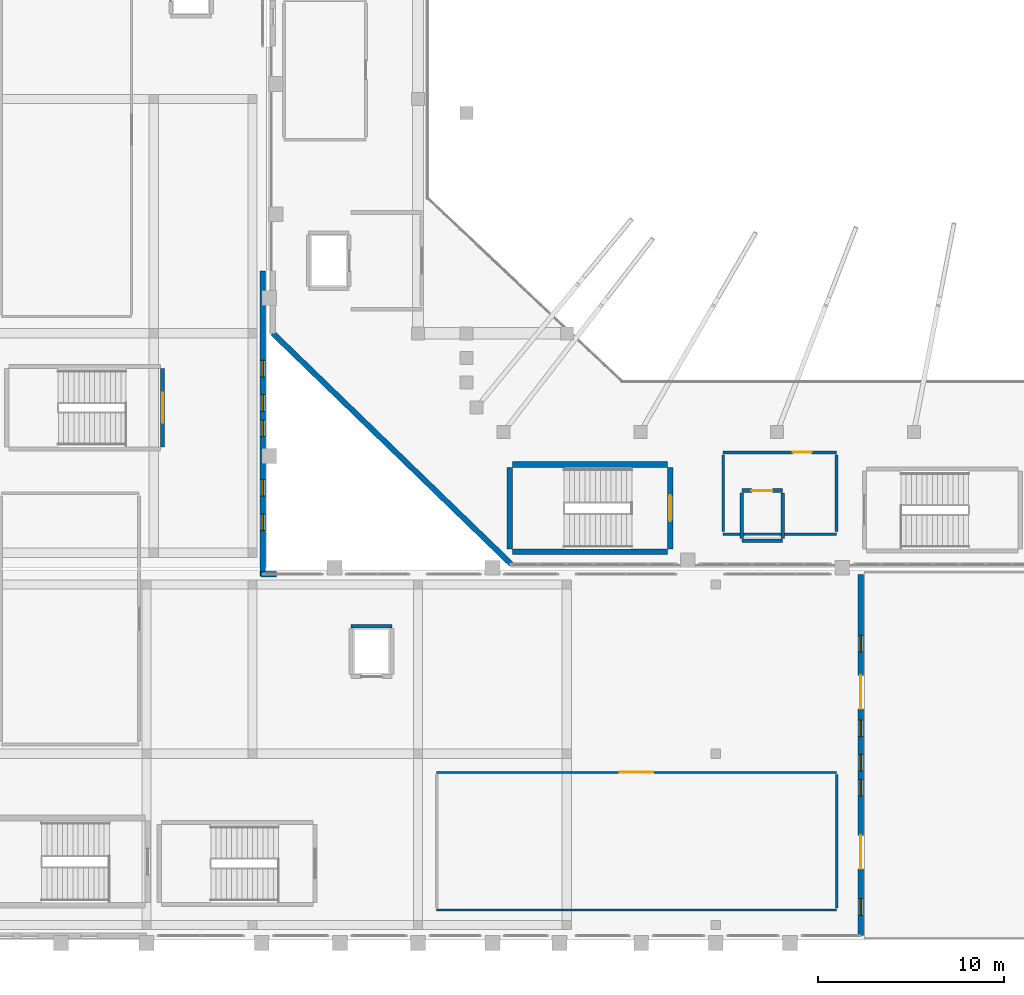
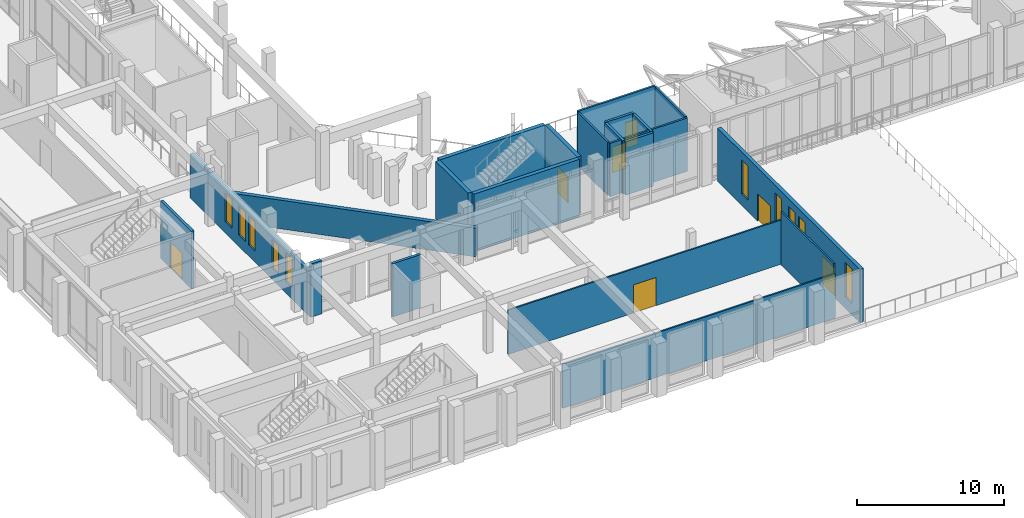
# One storey, part 55 of 79: 21 walls, 10 windows, 7 doors, 17 openings.
"""IFC4 building model written with IfcOpenShell, lengths in metres."""

from ifc_helpers import new_model, si_unit, derived_unit, direction, frame, frame_2d, origin, place, context, subcontext, project, spatial, rectangle, extrude, material, layer, layer_set, type_object, element, fill, save


model = new_model("IFC4")

# Units and contexts
model_context = context("Model", 3, precision=1e-05, world=origin(), true_north=direction((0.0, 1.0)))
body_context = subcontext(model_context, "Body", "Model", "MODEL_VIEW")
ifc_project = project(units=[si_unit("LENGTHUNIT", "METRE"), si_unit("AREAUNIT", "SQUARE_METRE"), si_unit("VOLUMEUNIT", "CUBIC_METRE"), si_unit("PLANEANGLEUNIT", "RADIAN"), si_unit("MASSUNIT", "GRAM", prefix="KILO"), derived_unit("THERMALTRANSMITTANCEUNIT", [(si_unit("MASSUNIT", "GRAM", prefix="KILO"), 1), (si_unit("TIMEUNIT", "SECOND"), -3), (si_unit("THERMODYNAMICTEMPERATUREUNIT", "KELVIN"), -1)])], contexts=[model_context])

# Site, building, storey
site_placement = place(None, origin())
site = spatial("IfcSite", under=ifc_project, at=site_placement, CompositionType="ELEMENT")
building_placement = place(site_placement, origin())
building = spatial("IfcBuilding", under=site, at=building_placement, Name="Valcora Ridge Arena", CompositionType="ELEMENT")
storey_placement = place(building_placement, frame((0.0, 0.0, 16.199951171875)))
storey = spatial("IfcBuildingStorey", under=building, at=storey_placement, Name="L03", CompositionType="ELEMENT", Elevation=16.199951171875)

# Wall, openings, windows
ifc_material_1 = material(Name="Bush-hammered Andean travertine on concrete backup C40/50", Category="masonry")
ifc_layer_1 = layer(ifc_material_1, 0.280029296875, Name="Bush-hammered Andean travertine on concrete backup C40/50")
ifc_layer_set_1 = layer_set([ifc_layer_1], Name="Bush-hammered Andean travertine on concrete backup C40/50")
wall_type_1 = type_object("IfcWallType", Name="TY-WALL-EW-TRV-28-37", PredefinedType="STANDARD", material=ifc_layer_set_1)
wall_1_placement = place(storey_placement, frame((15.64990234375, 19.550048828125, 0.0), z_axis=(0.0, 0.0, 1.0), x_axis=(0.0, 1.0, 0.0)))
wall_1 = element("IfcWall", 1, at=wall_1_placement, inside=storey, type_object=wall_type_1, Name="EW-TRV-28-37 WAL-EW-0096", PredefinedType="STANDARD", context=body_context, shape_type="SweptSolid", body=[
    extrude(rectangle(XDim=16.39990234375, YDim=0.280029296875, at=frame_2d((8.199951171875, 0.0))), origin(), (0.0, 0.0, 1.0), 3.68994140625),
])
opening_1_placement = place(wall_1_placement, frame((2.449951171875, 0.0, 0.949951171875)))
opening_1 = element("IfcOpeningElement", 2, at=opening_1_placement, cuts=wall_1, Name="Opening W-GLAN-90X239", PredefinedType="OPENING", context=body_context, shape_type="SweptSolid", body=[
    extrude(rectangle(XDim=0.89990234375, YDim=2.389892578125, at=frame_2d((0.449951171875, 1.19482421875))), frame((0.0, 0.14990234375, 0.0), z_axis=(0.0, -1.0, 0.0), x_axis=(1.0, 0.0, 0.0)), (0.0, 0.0, 1.0), 0.300048828125),
])
opening_2_placement = place(wall_1_placement, frame((4.300048828125, 0.0, 0.949951171875)))
opening_2 = element("IfcOpeningElement", 3, at=opening_2_placement, cuts=wall_1, Name="Opening W-GLAN-90X239", PredefinedType="OPENING", context=body_context, shape_type="SweptSolid", body=[
    extrude(rectangle(XDim=0.89990234375, YDim=2.389892578125, at=frame_2d((0.449951171875, 1.19482421875))), frame((0.0, 0.14990234375, 0.0), z_axis=(0.0, -1.0, 0.0), x_axis=(1.0, 0.0, 0.0)), (0.0, 0.0, 1.0), 0.300048828125),
])
opening_3_placement = place(wall_1_placement, frame((7.5, 0.0, 0.949951171875)))
opening_3 = element("IfcOpeningElement", 4, at=opening_3_placement, cuts=wall_1, Name="Opening W-GLAN-90X239", PredefinedType="OPENING", context=body_context, shape_type="SweptSolid", body=[
    extrude(rectangle(XDim=0.89990234375, YDim=2.389892578125, at=frame_2d((0.449951171875, 1.19482421875))), frame((0.0, 0.14990234375, 0.0), z_axis=(0.0, -1.0, 0.0), x_axis=(1.0, 0.0, 0.0)), (0.0, 0.0, 1.0), 0.300048828125),
])
opening_4_placement = place(wall_1_placement, frame((8.85009765625, 0.0, 0.949951171875)))
opening_4 = element("IfcOpeningElement", 5, at=opening_4_placement, cuts=wall_1, Name="Opening W-GLAN-90X239", PredefinedType="OPENING", context=body_context, shape_type="SweptSolid", body=[
    extrude(rectangle(XDim=0.89990234375, YDim=2.389892578125, at=frame_2d((0.449951171875, 1.19482421875))), frame((0.0, 0.14990234375, 0.0), z_axis=(0.0, -1.0, 0.0), x_axis=(1.0, 0.0, 0.0)), (0.0, 0.0, 1.0), 0.300048828125),
])
opening_5_placement = place(wall_1_placement, frame((10.699951171875, 0.0, 0.949951171875)))
opening_5 = element("IfcOpeningElement", 6, at=opening_5_placement, cuts=wall_1, Name="Opening W-GLAN-90X239", PredefinedType="OPENING", context=body_context, shape_type="SweptSolid", body=[
    extrude(rectangle(XDim=0.89990234375, YDim=2.389892578125, at=frame_2d((0.449951171875, 1.19482421875))), frame((0.0, 0.14990234375, 0.0), z_axis=(0.0, -1.0, 0.0), x_axis=(1.0, 0.0, 0.0)), (0.0, 0.0, 1.0), 0.300048828125),
])
ifc_material_2 = material(Name="Low-iron solar-control double glazing SHGC 0.28", Category="glass")
window_type_1 = type_object("IfcWindowType", Name="TY-WINDOW-W-GLAN-90X239", PartitioningType="DOUBLE_PANEL_VERTICAL", PredefinedType="WINDOW", material=ifc_material_2)
window_1_placement = place(opening_1_placement, origin())
window_1 = element("IfcWindow", 7, at=window_1_placement, inside=storey, type_object=window_type_1, Name="W-GLAN-90X239 WIN-EX-0307", OverallHeight=2.389892578125, OverallWidth=0.89990234375, PartitioningType="DOUBLE_PANEL_VERTICAL", PredefinedType="WINDOW", context=body_context, shape_type="SweptSolid", body=[
    extrude(rectangle(XDim=0.89990234375, YDim=2.389892578125, at=frame_2d((0.449951171875, 1.19482421875))), frame((0.0, 0.030029296875, 0.0), z_axis=(0.0, -1.0, 0.0), x_axis=(1.0, 0.0, 0.0)), (0.0, 0.0, 1.0), 0.06005859375),
])
fill(opening_1, window_1)
window_2_placement = place(opening_2_placement, origin())
window_2 = element("IfcWindow", 8, at=window_2_placement, inside=storey, type_object=window_type_1, Name="W-GLAN-90X239 WIN-EX-0308", OverallHeight=2.389892578125, OverallWidth=0.89990234375, PartitioningType="DOUBLE_PANEL_VERTICAL", PredefinedType="WINDOW", context=body_context, shape_type="SweptSolid", body=[
    extrude(rectangle(XDim=0.89990234375, YDim=2.389892578125, at=frame_2d((0.449951171875, 1.19482421875))), frame((0.0, 0.030029296875, 0.0), z_axis=(0.0, -1.0, 0.0), x_axis=(1.0, 0.0, 0.0)), (0.0, 0.0, 1.0), 0.06005859375),
])
fill(opening_2, window_2)
window_3_placement = place(opening_3_placement, origin())
window_3 = element("IfcWindow", 9, at=window_3_placement, inside=storey, type_object=window_type_1, Name="W-GLAN-90X239 WIN-EX-0309", OverallHeight=2.389892578125, OverallWidth=0.89990234375, PartitioningType="DOUBLE_PANEL_VERTICAL", PredefinedType="WINDOW", context=body_context, shape_type="SweptSolid", body=[
    extrude(rectangle(XDim=0.89990234375, YDim=2.389892578125, at=frame_2d((0.449951171875, 1.19482421875))), frame((0.0, 0.030029296875, 0.0), z_axis=(0.0, -1.0, 0.0), x_axis=(1.0, 0.0, 0.0)), (0.0, 0.0, 1.0), 0.06005859375),
])
fill(opening_3, window_3)
window_4_placement = place(opening_4_placement, origin())
window_4 = element("IfcWindow", 10, at=window_4_placement, inside=storey, type_object=window_type_1, Name="W-GLAN-90X239 WIN-EX-0310", OverallHeight=2.389892578125, OverallWidth=0.89990234375, PartitioningType="DOUBLE_PANEL_VERTICAL", PredefinedType="WINDOW", context=body_context, shape_type="SweptSolid", body=[
    extrude(rectangle(XDim=0.89990234375, YDim=2.389892578125, at=frame_2d((0.449951171875, 1.19482421875))), frame((0.0, 0.030029296875, 0.0), z_axis=(0.0, -1.0, 0.0), x_axis=(1.0, 0.0, 0.0)), (0.0, 0.0, 1.0), 0.06005859375),
])
fill(opening_4, window_4)
window_5_placement = place(opening_5_placement, origin())
window_5 = element("IfcWindow", 11, at=window_5_placement, inside=storey, type_object=window_type_1, Name="W-GLAN-90X239 WIN-EX-0311", OverallHeight=2.389892578125, OverallWidth=0.89990234375, PartitioningType="DOUBLE_PANEL_VERTICAL", PredefinedType="WINDOW", context=body_context, shape_type="SweptSolid", body=[
    extrude(rectangle(XDim=0.89990234375, YDim=2.389892578125, at=frame_2d((0.449951171875, 1.19482421875))), frame((0.0, 0.030029296875, 0.0), z_axis=(0.0, -1.0, 0.0), x_axis=(1.0, 0.0, 0.0)), (0.0, 0.0, 1.0), 0.06005859375),
])
fill(opening_5, window_5)

# Wall, openings, doors, windows
ifc_layer_2 = layer(ifc_material_1, 0.280029296875, Name="Bush-hammered Andean travertine on concrete backup C40/50")
ifc_layer_set_2 = layer_set([ifc_layer_2], Name="Bush-hammered Andean travertine on concrete backup C40/50")
wall_type_2 = type_object("IfcWallType", Name="TY-WALL-EW-TRV-28-44", PredefinedType="STANDARD", material=ifc_layer_set_2)
wall_2_placement = place(storey_placement, frame((47.800048828125, 0.219970703125, 0.0), z_axis=(0.0, 0.0, 1.0), x_axis=(0.0, 1.0, 0.0)))
wall_2 = element("IfcWall", 12, at=wall_2_placement, inside=storey, type_object=wall_type_2, Name="EW-TRV-28-44 WAL-EW-0093", PredefinedType="STANDARD", context=body_context, shape_type="SweptSolid", body=[
    extrude(rectangle(XDim=19.429931640625, YDim=0.280029296875, at=frame_2d((9.71484375, 0.0))), origin(), (0.0, 0.0, 1.0), 4.43994140625),
])
opening_6_placement = place(wall_2_placement, frame((3.60009765625, 0.0, 0.0)))
opening_6 = element("IfcOpeningElement", 13, at=opening_6_placement, cuts=wall_2, Name="Opening D-TERR-1800", PredefinedType="OPENING", context=body_context, shape_type="SweptSolid", body=[
    extrude(rectangle(XDim=1.800048828125, YDim=2.300048828125, at=frame_2d((0.89990234375, 1.14990234375))), frame((0.0, 0.14990234375, 0.0), z_axis=(0.0, -1.0, 0.0), x_axis=(1.0, 0.0, 0.0)), (0.0, 0.0, 1.0), 0.300048828125),
])
opening_7_placement = place(wall_2_placement, frame((12.199951171875, 0.0, 0.0)))
opening_7 = element("IfcOpeningElement", 14, at=opening_7_placement, cuts=wall_2, Name="Opening D-TERR-1800", PredefinedType="OPENING", context=body_context, shape_type="SweptSolid", body=[
    extrude(rectangle(XDim=1.800048828125, YDim=2.300048828125, at=frame_2d((0.89990234375, 1.14990234375))), frame((0.0, 0.14990234375, 0.0), z_axis=(0.0, -1.0, 0.0), x_axis=(1.0, 0.0, 0.0)), (0.0, 0.0, 1.0), 0.300048828125),
])
opening_8_placement = place(wall_2_placement, frame((1.10009765625, 0.0, 0.949951171875)))
opening_8 = element("IfcOpeningElement", 15, at=opening_8_placement, cuts=wall_2, Name="Opening W-GLAN-90X285", PredefinedType="OPENING", context=body_context, shape_type="SweptSolid", body=[
    extrude(rectangle(XDim=0.89990234375, YDim=2.85009765625, at=frame_2d((0.449951171875, 1.425048828125))), frame((0.0, 0.14990234375, 0.0), z_axis=(0.0, -1.0, 0.0), x_axis=(1.0, 0.0, 0.0)), (0.0, 0.0, 1.0), 0.300048828125),
])
opening_9_placement = place(wall_2_placement, frame((7.5, 0.0, 0.949951171875)))
opening_9 = element("IfcOpeningElement", 16, at=opening_9_placement, cuts=wall_2, Name="Opening W-GLAN-90X285", PredefinedType="OPENING", context=body_context, shape_type="SweptSolid", body=[
    extrude(rectangle(XDim=0.89990234375, YDim=2.85009765625, at=frame_2d((0.449951171875, 1.425048828125))), frame((0.0, 0.14990234375, 0.0), z_axis=(0.0, -1.0, 0.0), x_axis=(1.0, 0.0, 0.0)), (0.0, 0.0, 1.0), 0.300048828125),
])
opening_10_placement = place(wall_2_placement, frame((8.85009765625, 0.0, 0.949951171875)))
opening_10 = element("IfcOpeningElement", 17, at=opening_10_placement, cuts=wall_2, Name="Opening W-GLAN-90X285", PredefinedType="OPENING", context=body_context, shape_type="SweptSolid", body=[
    extrude(rectangle(XDim=0.89990234375, YDim=2.85009765625, at=frame_2d((0.449951171875, 1.425048828125))), frame((0.0, 0.14990234375, 0.0), z_axis=(0.0, -1.0, 0.0), x_axis=(1.0, 0.0, 0.0)), (0.0, 0.0, 1.0), 0.300048828125),
])
opening_11_placement = place(wall_2_placement, frame((10.699951171875, 0.0, 0.949951171875)))
opening_11 = element("IfcOpeningElement", 18, at=opening_11_placement, cuts=wall_2, Name="Opening W-GLAN-90X285", PredefinedType="OPENING", context=body_context, shape_type="SweptSolid", body=[
    extrude(rectangle(XDim=0.89990234375, YDim=2.85009765625, at=frame_2d((0.449951171875, 1.425048828125))), frame((0.0, 0.14990234375, 0.0), z_axis=(0.0, -1.0, 0.0), x_axis=(1.0, 0.0, 0.0)), (0.0, 0.0, 1.0), 0.300048828125),
])
opening_12_placement = place(wall_2_placement, frame((15.25, 0.0, 0.949951171875)))
opening_12 = element("IfcOpeningElement", 19, at=opening_12_placement, cuts=wall_2, Name="Opening W-GLAN-90X285", PredefinedType="OPENING", context=body_context, shape_type="SweptSolid", body=[
    extrude(rectangle(XDim=0.89990234375, YDim=2.85009765625, at=frame_2d((0.449951171875, 1.425048828125))), frame((0.0, 0.14990234375, 0.0), z_axis=(0.0, -1.0, 0.0), x_axis=(1.0, 0.0, 0.0)), (0.0, 0.0, 1.0), 0.300048828125),
])
ifc_material_3 = material(Name="Thermally broken bronze aluminium glazed entrance leaf", Category="aluminium")
door_type_1 = type_object("IfcDoorType", Name="TY-DOOR-D-TERR-1800", OperationType="NOTDEFINED", PredefinedType="DOOR", material=ifc_material_3)
door_1_placement = place(opening_6_placement, origin())
door_1 = element("IfcDoor", 20, at=door_1_placement, inside=storey, type_object=door_type_1, Name="D-TERR-1800 DOR-EX-0018", OperationType="DOUBLE_DOOR_SINGLE_SWING", OverallHeight=2.300048828125, OverallWidth=1.800048828125, PredefinedType="DOOR", context=body_context, shape_type="SweptSolid", body=[
    extrude(rectangle(XDim=1.800048828125, YDim=2.300048828125, at=frame_2d((0.89990234375, 1.14990234375))), frame((0.0, 0.02490234375, 0.0), z_axis=(0.0, -1.0, 0.0), x_axis=(1.0, 0.0, 0.0)), (0.0, 0.0, 1.0), 0.050048828125),
])
fill(opening_6, door_1)
door_2_placement = place(opening_7_placement, origin())
door_2 = element("IfcDoor", 21, at=door_2_placement, inside=storey, type_object=door_type_1, Name="D-TERR-1800 DOR-EX-0019", OperationType="DOUBLE_DOOR_SINGLE_SWING", OverallHeight=2.300048828125, OverallWidth=1.800048828125, PredefinedType="DOOR", context=body_context, shape_type="SweptSolid", body=[
    extrude(rectangle(XDim=1.800048828125, YDim=2.300048828125, at=frame_2d((0.89990234375, 1.14990234375))), frame((0.0, 0.02490234375, 0.0), z_axis=(0.0, -1.0, 0.0), x_axis=(1.0, 0.0, 0.0)), (0.0, 0.0, 1.0), 0.050048828125),
])
fill(opening_7, door_2)
window_type_2 = type_object("IfcWindowType", Name="TY-WINDOW-W-GLAN-90X285", PartitioningType="DOUBLE_PANEL_VERTICAL", PredefinedType="WINDOW", material=ifc_material_2)
window_6_placement = place(opening_8_placement, origin())
window_6 = element("IfcWindow", 22, at=window_6_placement, inside=storey, type_object=window_type_2, Name="W-GLAN-90X285 WIN-EX-0289", OverallHeight=2.85009765625, OverallWidth=0.89990234375, PartitioningType="DOUBLE_PANEL_VERTICAL", PredefinedType="WINDOW", context=body_context, shape_type="SweptSolid", body=[
    extrude(rectangle(XDim=0.89990234375, YDim=2.85009765625, at=frame_2d((0.449951171875, 1.425048828125))), frame((0.0, 0.030029296875, 0.0), z_axis=(0.0, -1.0, 0.0), x_axis=(1.0, 0.0, 0.0)), (0.0, 0.0, 1.0), 0.06005859375),
])
fill(opening_8, window_6)
window_7_placement = place(opening_9_placement, origin())
window_7 = element("IfcWindow", 23, at=window_7_placement, inside=storey, type_object=window_type_2, Name="W-GLAN-90X285 WIN-EX-0290", OverallHeight=2.85009765625, OverallWidth=0.89990234375, PartitioningType="DOUBLE_PANEL_VERTICAL", PredefinedType="WINDOW", context=body_context, shape_type="SweptSolid", body=[
    extrude(rectangle(XDim=0.89990234375, YDim=2.85009765625, at=frame_2d((0.449951171875, 1.425048828125))), frame((0.0, 0.030029296875, 0.0), z_axis=(0.0, -1.0, 0.0), x_axis=(1.0, 0.0, 0.0)), (0.0, 0.0, 1.0), 0.06005859375),
])
fill(opening_9, window_7)
window_8_placement = place(opening_10_placement, origin())
window_8 = element("IfcWindow", 24, at=window_8_placement, inside=storey, type_object=window_type_2, Name="W-GLAN-90X285 WIN-EX-0291", OverallHeight=2.85009765625, OverallWidth=0.89990234375, PartitioningType="DOUBLE_PANEL_VERTICAL", PredefinedType="WINDOW", context=body_context, shape_type="SweptSolid", body=[
    extrude(rectangle(XDim=0.89990234375, YDim=2.85009765625, at=frame_2d((0.449951171875, 1.425048828125))), frame((0.0, 0.030029296875, 0.0), z_axis=(0.0, -1.0, 0.0), x_axis=(1.0, 0.0, 0.0)), (0.0, 0.0, 1.0), 0.06005859375),
])
fill(opening_10, window_8)
window_9_placement = place(opening_11_placement, origin())
window_9 = element("IfcWindow", 25, at=window_9_placement, inside=storey, type_object=window_type_2, Name="W-GLAN-90X285 WIN-EX-0292", OverallHeight=2.85009765625, OverallWidth=0.89990234375, PartitioningType="DOUBLE_PANEL_VERTICAL", PredefinedType="WINDOW", context=body_context, shape_type="SweptSolid", body=[
    extrude(rectangle(XDim=0.89990234375, YDim=2.85009765625, at=frame_2d((0.449951171875, 1.425048828125))), frame((0.0, 0.030029296875, 0.0), z_axis=(0.0, -1.0, 0.0), x_axis=(1.0, 0.0, 0.0)), (0.0, 0.0, 1.0), 0.06005859375),
])
fill(opening_11, window_9)
window_10_placement = place(opening_12_placement, origin())
window_10 = element("IfcWindow", 26, at=window_10_placement, inside=storey, type_object=window_type_2, Name="W-GLAN-90X285 WIN-EX-0293", OverallHeight=2.85009765625, OverallWidth=0.89990234375, PartitioningType="DOUBLE_PANEL_VERTICAL", PredefinedType="WINDOW", context=body_context, shape_type="SweptSolid", body=[
    extrude(rectangle(XDim=0.89990234375, YDim=2.85009765625, at=frame_2d((0.449951171875, 1.425048828125))), frame((0.0, 0.030029296875, 0.0), z_axis=(0.0, -1.0, 0.0), x_axis=(1.0, 0.0, 0.0)), (0.0, 0.0, 1.0), 0.06005859375),
])
fill(opening_12, window_10)

# Walls
wall_3_placement = place(storey_placement, frame((15.550048828125, 19.64990234375, 0.0), z_axis=(0.0, 0.0, 1.0), x_axis=(1.0, 0.0, 0.0)))
element("IfcWall", 27, at=wall_3_placement, inside=storey, type_object=wall_type_2, Name="EW-TRV-28-44 WAL-EW-0097", PredefinedType="STANDARD", context=body_context, shape_type="SweptSolid", body=[
    extrude(rectangle(XDim=0.849853515625, YDim=0.280029296875, at=frame_2d((0.4248046875, 0.0))), origin(), (0.0, 0.0, 1.0), 4.43994140625),
])
ifc_layer_3 = layer(ifc_material_1, 0.300048828125, Name="Bush-hammered Andean travertine on concrete backup C40/50")
ifc_layer_set_3 = layer_set([ifc_layer_3], Name="Bush-hammered Andean travertine on concrete backup C40/50")
wall_type_3 = type_object("IfcWallType", Name="TY-WALL-EW-TRV-30-24", PredefinedType="STANDARD", material=ifc_layer_set_3)
wall_4_placement = place(storey_placement, frame((16.199951171875, 32.60009765625, 0.0), z_axis=(0.0, 0.0, 1.0), x_axis=(0.718237441527, -0.695798086796, 0.0)))
element("IfcWall", 28, at=wall_4_placement, inside=storey, type_object=wall_type_3, Name="EW-TRV-30-24 WAL-EW-0055", PredefinedType="STANDARD", context=body_context, shape_type="SweptSolid", body=[
    extrude(rectangle(XDim=17.821533203125, YDim=0.300048828125, at=frame_2d((8.91064453125, 0.0))), origin(), (0.0, 0.0, 1.0), 2.39013671875),
])
ifc_material_4 = material(Name="Fire-rated masonry-core compartment wall C35/45 150 mm", Category="masonry")
ifc_layer_4 = layer(ifc_material_4, 0.14990234375, Name="Fire-rated masonry-core compartment wall C35/45 150 mm")
ifc_layer_set_4 = layer_set([ifc_layer_4], Name="Fire-rated masonry-core compartment wall C35/45 150 mm")
wall_type_4 = type_object("IfcWallType", Name="TY-WALL-IW-COMP-150", PredefinedType="STANDARD", material=ifc_layer_set_4)
wall_5_placement = place(storey_placement, frame((40.39990234375, 21.800048828125, 0.0), z_axis=(0.0, 0.0, 1.0), x_axis=(1.0, 0.0, 0.0)))
element("IfcWall", 29, at=wall_5_placement, inside=storey, type_object=wall_type_4, Name="IW-COMP-150 WAL-IN-0403", PredefinedType="STANDARD", context=body_context, shape_type="SweptSolid", body=[
    extrude(rectangle(XDim=6.10009765625, YDim=0.14990234375, at=frame_2d((3.050048828125, 0.0))), origin(), (0.0, 0.0, 1.0), 4.43994140625),
])

# Wall, opening, door
wall_6_placement = place(storey_placement, frame((40.39990234375, 26.199951171875, 0.0), z_axis=(0.0, 0.0, 1.0), x_axis=(1.0, 0.0, 0.0)))
wall_6 = element("IfcWall", 30, at=wall_6_placement, inside=storey, type_object=wall_type_4, Name="IW-COMP-150 WAL-IN-0404", PredefinedType="STANDARD", context=body_context, shape_type="SweptSolid", body=[
    extrude(rectangle(XDim=6.10009765625, YDim=0.14990234375, at=frame_2d((3.050048828125, 0.0))), origin(), (0.0, 0.0, 1.0), 4.43994140625),
])
opening_13_placement = place(wall_6_placement, frame((3.75, 0.0, 0.0)))
opening_13 = element("IfcOpeningElement", 31, at=opening_13_placement, cuts=wall_6, Name="Opening FD-STE-1000", PredefinedType="OPENING", context=body_context, shape_type="SweptSolid", body=[
    extrude(rectangle(XDim=1.0, YDim=2.14990234375, at=frame_2d((0.5, 1.074951171875))), frame((0.0, 0.0849609375, 0.0), z_axis=(0.0, -1.0, 0.0), x_axis=(1.0, 0.0, 0.0)), (0.0, 0.0, 1.0), 0.169921875),
])
ifc_material_5 = material(Name="Insulated fire-rated steel door leaf", Category="steel")
door_type_2 = type_object("IfcDoorType", Name="TY-DOOR-FD-STE-1000", OperationType="NOTDEFINED", PredefinedType="DOOR", material=ifc_material_5)
door_3_placement = place(opening_13_placement, origin())
door_3 = element("IfcDoor", 32, at=door_3_placement, inside=storey, type_object=door_type_2, Name="FD-STE-1000 DOR-IN-0106", OperationType="SINGLE_SWING_RIGHT", OverallHeight=2.14990234375, OverallWidth=1.0, PredefinedType="DOOR", context=body_context, shape_type="SweptSolid", body=[
    extrude(rectangle(XDim=1.0, YDim=2.14990234375, at=frame_2d((0.5, 1.074951171875))), frame((0.0, 0.02490234375, 0.0), z_axis=(0.0, -1.0, 0.0), x_axis=(1.0, 0.0, 0.0)), (0.0, 0.0, 1.0), 0.050048828125),
])
fill(opening_13, door_3)

# Walls
for number, where, z_axis, x_axis, name in (
    (33, (40.39990234375, 21.949951171875, 0.0), (0.0, 0.0, 1.0), (0.0, 1.0, 0.0), "IW-COMP-150 WAL-IN-0405"),
    (34, (46.5, 21.949951171875, 0.0), (0.0, 0.0, 1.0), (0.0, 1.0, 0.0), "IW-COMP-150 WAL-IN-0406"),
):
    element("IfcWall", number, at=place(storey_placement, frame(where, z_axis=z_axis, x_axis=x_axis)), inside=storey, type_object=wall_type_4, Name=name, PredefinedType="STANDARD", context=body_context, shape_type="SweptSolid", body=[
        extrude(rectangle(XDim=4.10009765625, YDim=0.14990234375, at=frame_2d((2.050048828125, 0.0))), origin(), (0.0, 0.0, 1.0), 4.43994140625),
    ])
ifc_material_6 = material(Name="Acoustic metal-stud gypsum partition 120 mm")
ifc_layer_5 = layer(ifc_material_6, 0.1201171875, Name="Acoustic metal-stud gypsum partition 120 mm")
ifc_layer_set_5 = layer_set([ifc_layer_5], Name="Acoustic metal-stud gypsum partition 120 mm")
wall_type_5 = type_object("IfcWallType", Name="TY-WALL-IW-PART-120", PredefinedType="PARTITIONING", material=ifc_layer_set_5)
wall_7_placement = place(storey_placement, frame((25.0, 1.60009765625, 0.0), z_axis=(0.0, 0.0, 1.0), x_axis=(1.0, 0.0, 0.0)))
element("IfcWall", 35, at=wall_7_placement, inside=storey, type_object=wall_type_5, Name="IW-PART-120 WAL-IN-0427", PredefinedType="PARTITIONING", context=body_context, shape_type="SweptSolid", body=[
    extrude(rectangle(XDim=21.5, YDim=0.1201171875, at=frame_2d((10.75, 0.0))), origin(), (0.0, 0.0, 1.0), 3.68994140625),
])

# Wall, opening, door
wall_8_placement = place(storey_placement, frame((25.0, 9.0, 0.0), z_axis=(0.0, 0.0, 1.0), x_axis=(1.0, 0.0, 0.0)))
wall_8 = element("IfcWall", 36, at=wall_8_placement, inside=storey, type_object=wall_type_5, Name="IW-PART-120 WAL-IN-0428", PredefinedType="PARTITIONING", context=body_context, shape_type="SweptSolid", body=[
    extrude(rectangle(XDim=21.5, YDim=0.1201171875, at=frame_2d((10.75, 0.0))), origin(), (0.0, 0.0, 1.0), 3.68994140625),
])
opening_14_placement = place(wall_8_placement, frame((9.85009765625, 0.0, 0.0)))
opening_14 = element("IfcOpeningElement", 37, at=opening_14_placement, cuts=wall_8, Name="Opening D-PUB-1800", PredefinedType="OPENING", context=body_context, shape_type="SweptSolid", body=[
    extrude(rectangle(XDim=1.800048828125, YDim=2.35009765625, at=frame_2d((0.89990234375, 1.175048828125))), frame((0.0, 0.070068359375, 0.0), z_axis=(0.0, -1.0, 0.0), x_axis=(1.0, 0.0, 0.0)), (0.0, 0.0, 1.0), 0.14013671875),
])
ifc_material_7 = material(Name="Solid-core acoustic timber veneer door leaf", Category="wood")
door_type_3 = type_object("IfcDoorType", Name="TY-DOOR-D-PUB-1800", OperationType="NOTDEFINED", PredefinedType="DOOR", material=ifc_material_7)
door_4_placement = place(opening_14_placement, origin())
door_4 = element("IfcDoor", 38, at=door_4_placement, inside=storey, type_object=door_type_3, Name="D-PUB-1800 DOR-IN-0112", OperationType="DOUBLE_DOOR_SINGLE_SWING", OverallHeight=2.35009765625, OverallWidth=1.800048828125, PredefinedType="DOOR", context=body_context, shape_type="SweptSolid", body=[
    extrude(rectangle(XDim=1.800048828125, YDim=2.35009765625, at=frame_2d((0.89990234375, 1.175048828125))), frame((0.0, 0.02490234375, 0.0), z_axis=(0.0, -1.0, 0.0), x_axis=(1.0, 0.0, 0.0)), (0.0, 0.0, 1.0), 0.050048828125),
])
fill(opening_14, door_4)

# Walls
wall_9_placement = place(storey_placement, frame((46.5, 1.719970703125, 0.0), z_axis=(0.0, 0.0, 1.0), x_axis=(0.0, 1.0, 0.0)))
element("IfcWall", 39, at=wall_9_placement, inside=storey, type_object=wall_type_5, Name="IW-PART-120 WAL-IN-0430", PredefinedType="PARTITIONING", context=body_context, shape_type="SweptSolid", body=[
    extrude(rectangle(XDim=7.159912109375, YDim=0.1201171875, at=frame_2d((3.580078125, 0.0))), origin(), (0.0, 0.0, 1.0), 4.43994140625),
])
ifc_material_8 = material(Name="Concrete C40/50", Category="concrete")
ifc_layer_6 = layer(ifc_material_8, 0.199951171875, Name="Concrete C40/50")
ifc_layer_set_6 = layer_set([ifc_layer_6], Name="Concrete C40/50")
wall_type_6 = type_object("IfcWallType", Name="TY-WALL-IW-SHF-200", PredefinedType="STANDARD", material=ifc_layer_set_6)
wall_10_placement = place(storey_placement, frame((41.39990234375, 21.449951171875, 0.0), z_axis=(0.0, 0.0, 1.0), x_axis=(1.0, 0.0, 0.0)))
element("IfcWall", 40, at=wall_10_placement, inside=storey, type_object=wall_type_6, Name="IW-SHF-200 WAL-SH-0073", PredefinedType="STANDARD", context=body_context, shape_type="SweptSolid", body=[
    extrude(rectangle(XDim=2.2001953125, YDim=0.199951171875, at=frame_2d((1.10009765625, 0.0))), origin(), (0.0, 0.0, 1.0), 4.43994140625),
])

# Wall, opening, door
wall_11_placement = place(storey_placement, frame((41.39990234375, 24.14990234375, 0.0), z_axis=(0.0, 0.0, 1.0), x_axis=(1.0, 0.0, 0.0)))
wall_11 = element("IfcWall", 41, at=wall_11_placement, inside=storey, type_object=wall_type_6, Name="IW-SHF-200 WAL-SH-0074", PredefinedType="STANDARD", context=body_context, shape_type="SweptSolid", body=[
    extrude(rectangle(XDim=2.2001953125, YDim=0.199951171875, at=frame_2d((1.10009765625, 0.0))), origin(), (0.0, 0.0, 1.0), 4.43994140625),
])
opening_15_placement = place(wall_11_placement, frame((0.550048828125, 0.0, 0.0)))
opening_15 = element("IfcOpeningElement", 42, at=opening_15_placement, cuts=wall_11, Name="Opening LD-PAX", PredefinedType="OPENING", context=body_context, shape_type="SweptSolid", body=[
    extrude(rectangle(XDim=1.10009765625, YDim=2.14990234375, at=frame_2d((0.550048828125, 1.074951171875))), frame((0.0, 0.10986328125, 0.0), z_axis=(0.0, -1.0, 0.0), x_axis=(1.0, 0.0, 0.0)), (0.0, 0.0, 1.0), 0.219970703125),
])
ifc_material_9 = material(Name="Insulated fire-rated hollow metal steel", Category="steel")
door_type_4 = type_object("IfcDoorType", Name="TY-DOOR-LD-PAX", OperationType="NOTDEFINED", PredefinedType="DOOR", material=ifc_material_9)
door_5_placement = place(opening_15_placement, origin())
door_5 = element("IfcDoor", 43, at=door_5_placement, inside=storey, type_object=door_type_4, Name="PL1 Landing Door L03", OperationType="SLIDING_TO_LEFT", OverallHeight=2.14990234375, OverallWidth=1.10009765625, PredefinedType="DOOR", context=body_context, shape_type="SweptSolid", body=[
    extrude(rectangle(XDim=1.10009765625, YDim=2.14990234375, at=frame_2d((0.550048828125, 1.074951171875))), frame((0.0, 0.02490234375, 0.0), z_axis=(0.0, -1.0, 0.0), x_axis=(1.0, 0.0, 0.0)), (0.0, 0.0, 1.0), 0.050048828125),
])
fill(opening_15, door_5)

# Walls
for number, where, z_axis, x_axis, name in (
    (44, (41.39990234375, 21.570068359375, 0.0), (0.0, 0.0, 1.0), (0.0, 1.0, 0.0), "IW-SHF-200 WAL-SH-0075"),
    (45, (43.60009765625, 21.570068359375, 0.0), (0.0, 0.0, 1.0), (0.0, 1.0, 0.0), "IW-SHF-200 WAL-SH-0076"),
):
    element("IfcWall", number, at=place(storey_placement, frame(where, z_axis=z_axis, x_axis=x_axis)), inside=storey, type_object=wall_type_6, Name=name, PredefinedType="STANDARD", context=body_context, shape_type="SweptSolid", body=[
        extrude(rectangle(XDim=2.4599609375, YDim=0.199951171875, at=frame_2d((1.22998046875, 0.0))), origin(), (0.0, 0.0, 1.0), 4.43994140625),
    ])
wall_12_placement = place(storey_placement, frame((20.39990234375, 16.85009765625, 0.0), z_axis=(0.0, 0.0, 1.0), x_axis=(1.0, 0.0, 0.0)))
element("IfcWall", 46, at=wall_12_placement, inside=storey, type_object=wall_type_6, Name="IW-SHF-200 WAL-SH-0186", PredefinedType="STANDARD", context=body_context, shape_type="SweptSolid", body=[
    extrude(rectangle(XDim=2.2001953125, YDim=0.199951171875, at=frame_2d((1.10009765625, 0.0))), origin(), (0.0, 0.0, 1.0), 4.43994140625),
])
ifc_material_10 = material(Name="Concrete C45/55", Category="concrete")
ifc_layer_7 = layer(ifc_material_10, 0.300048828125, Name="Concrete C45/55")
ifc_layer_set_7 = layer_set([ifc_layer_7], Name="Concrete C45/55")
wall_type_7 = type_object("IfcWallType", Name="TY-WALL-SW-C300-L", PredefinedType="SHEAR", material=ifc_layer_set_7)
for number, where, z_axis, x_axis, name in (
    (47, (29.080078125, 20.85009765625, 0.0), (0.0, 0.0, 1.0), (1.0, 0.0, 0.0), "SW-C300-L WAL-CR-0017"),
    (48, (29.080078125, 25.550048828125, 0.0), (0.0, 0.0, 1.0), (1.0, 0.0, 0.0), "SW-C300-L WAL-CR-0018"),
):
    element("IfcWall", number, at=place(storey_placement, frame(where, z_axis=z_axis, x_axis=x_axis)), inside=storey, type_object=wall_type_7, Name=name, PredefinedType="SHEAR", context=body_context, shape_type="SweptSolid", body=[
        extrude(rectangle(XDim=8.31982421875, YDim=0.300048828125, at=frame_2d((4.159912109375, 0.0))), origin(), (0.0, 0.0, 1.0), 4.800048828125),
    ])
ifc_layer_8 = layer(ifc_material_10, 0.300048828125, Name="Concrete C45/55")
ifc_layer_set_8 = layer_set([ifc_layer_8], Name="Concrete C45/55")
wall_type_8 = type_object("IfcWallType", Name="TY-WALL-SW-C300-S", PredefinedType="SHEAR", material=ifc_layer_set_8)
wall_13_placement = place(storey_placement, frame((28.929931640625, 21.0, 0.0), z_axis=(0.0, 0.0, 1.0), x_axis=(0.0, 1.0, 0.0)))
element("IfcWall", 49, at=wall_13_placement, inside=storey, type_object=wall_type_8, Name="SW-C300-S WAL-CR-0019", PredefinedType="SHEAR", context=body_context, shape_type="SweptSolid", body=[
    extrude(rectangle(XDim=4.39990234375, YDim=0.300048828125, at=frame_2d((2.199951171875, 0.0))), origin(), (0.0, 0.0, 1.0), 4.800048828125),
])

# Wall, opening, door
wall_14_placement = place(storey_placement, frame((37.550048828125, 21.0, 0.0), z_axis=(0.0, 0.0, 1.0), x_axis=(0.0, 1.0, 0.0)))
wall_14 = element("IfcWall", 50, at=wall_14_placement, inside=storey, type_object=wall_type_8, Name="SW-C300-S WAL-CR-0020", PredefinedType="SHEAR", context=body_context, shape_type="SweptSolid", body=[
    extrude(rectangle(XDim=4.39990234375, YDim=0.300048828125, at=frame_2d((2.199951171875, 0.0))), origin(), (0.0, 0.0, 1.0), 4.800048828125),
])
opening_16_placement = place(wall_14_placement, frame((1.5, 0.0, 0.0)))
opening_16 = element("IfcOpeningElement", 51, at=opening_16_placement, cuts=wall_14, Name="Opening FD-01", PredefinedType="OPENING", context=body_context, shape_type="SweptSolid", body=[
    extrude(rectangle(XDim=1.39990234375, YDim=2.199951171875, at=frame_2d((0.699951171875, 1.10009765625))), frame((0.0, 0.159912109375, 0.0), z_axis=(0.0, -1.0, 0.0), x_axis=(1.0, 0.0, 0.0)), (0.0, 0.0, 1.0), 0.320068359375),
])
door_type_5 = type_object("IfcDoorType", Name="TY-DOOR-FD-01", OperationType="NOTDEFINED", PredefinedType="DOOR", material=ifc_material_5)
door_6_placement = place(opening_16_placement, origin())
door_6 = element("IfcDoor", 52, at=door_6_placement, inside=storey, type_object=door_type_5, Name="FD-01 DOR-ST-0005", OperationType="DOUBLE_DOOR_SINGLE_SWING", OverallHeight=2.199951171875, OverallWidth=1.39990234375, PredefinedType="DOOR", context=body_context, shape_type="SweptSolid", body=[
    extrude(rectangle(XDim=1.39990234375, YDim=2.199951171875, at=frame_2d((0.699951171875, 1.10009765625))), frame((0.0, 0.02490234375, 0.0), z_axis=(0.0, -1.0, 0.0), x_axis=(1.0, 0.0, 0.0)), (0.0, 0.0, 1.0), 0.050048828125),
])
fill(opening_16, door_6)

ifc_material_11 = material(Name="Fire-resisting reinforced concrete enclosure C40/50 200 mm", Category="concrete")
ifc_layer_9 = layer(ifc_material_11, 0.219970703125, Name="Fire-resisting reinforced concrete enclosure C40/50 200 mm")
ifc_layer_set_9 = layer_set([ifc_layer_9], Name="Fire-resisting reinforced concrete enclosure C40/50 200 mm")
wall_type_9 = type_object("IfcWallType", Name="TY-WALL-SW-ES-220", PredefinedType="SHEAR", material=ifc_layer_set_9)
wall_15_placement = place(storey_placement, frame((10.27001953125, 26.5, 0.0), z_axis=(0.0, 0.0, 1.0), x_axis=(0.0, 1.0, 0.0)))
wall_15 = element("IfcWall", 53, at=wall_15_placement, inside=storey, type_object=wall_type_9, Name="SW-ES-220 WAL-ES-0144", PredefinedType="SHEAR", context=body_context, shape_type="SweptSolid", body=[
    extrude(rectangle(XDim=4.199951171875, YDim=0.219970703125, at=frame_2d((2.10009765625, 0.0))), origin(), (0.0, 0.0, 1.0), 4.800048828125),
])
opening_17_placement = place(wall_15_placement, frame((1.300048828125, 0.0, 0.0)))
opening_17 = element("IfcOpeningElement", 54, at=opening_17_placement, cuts=wall_15, Name="Opening FD-02", PredefinedType="OPENING", context=body_context, shape_type="SweptSolid", body=[
    extrude(rectangle(XDim=1.60009765625, YDim=2.199951171875, at=frame_2d((0.800048828125, 1.10009765625))), frame((0.0, 0.119873046875, 0.0), z_axis=(0.0, -1.0, 0.0), x_axis=(1.0, 0.0, 0.0)), (0.0, 0.0, 1.0), 0.239990234375),
])
door_type_6 = type_object("IfcDoorType", Name="TY-DOOR-FD-02", OperationType="NOTDEFINED", PredefinedType="DOOR", material=ifc_material_5)
door_7_placement = place(opening_17_placement, origin())
door_7 = element("IfcDoor", 55, at=door_7_placement, inside=storey, type_object=door_type_6, Name="FD-02 DOR-ES-0032", OperationType="DOUBLE_DOOR_SINGLE_SWING", OverallHeight=2.199951171875, OverallWidth=1.60009765625, PredefinedType="DOOR", context=body_context, shape_type="SweptSolid", body=[
    extrude(rectangle(XDim=1.60009765625, YDim=2.199951171875, at=frame_2d((0.800048828125, 1.10009765625))), frame((0.0, 0.02490234375, 0.0), z_axis=(0.0, -1.0, 0.0), x_axis=(1.0, 0.0, 0.0)), (0.0, 0.0, 1.0), 0.050048828125),
])
fill(opening_17, door_7)

save(model, "model.ifc")
